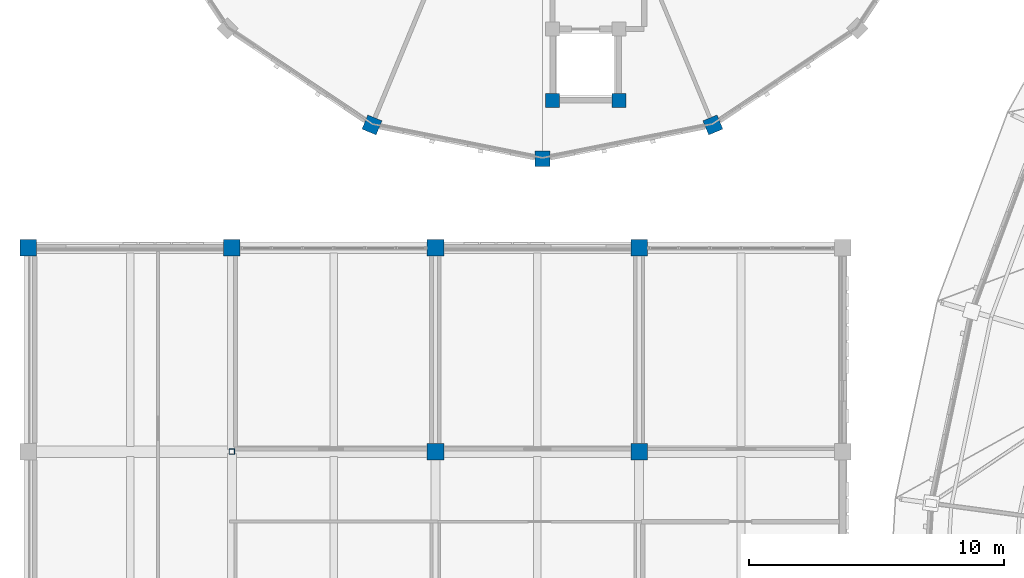
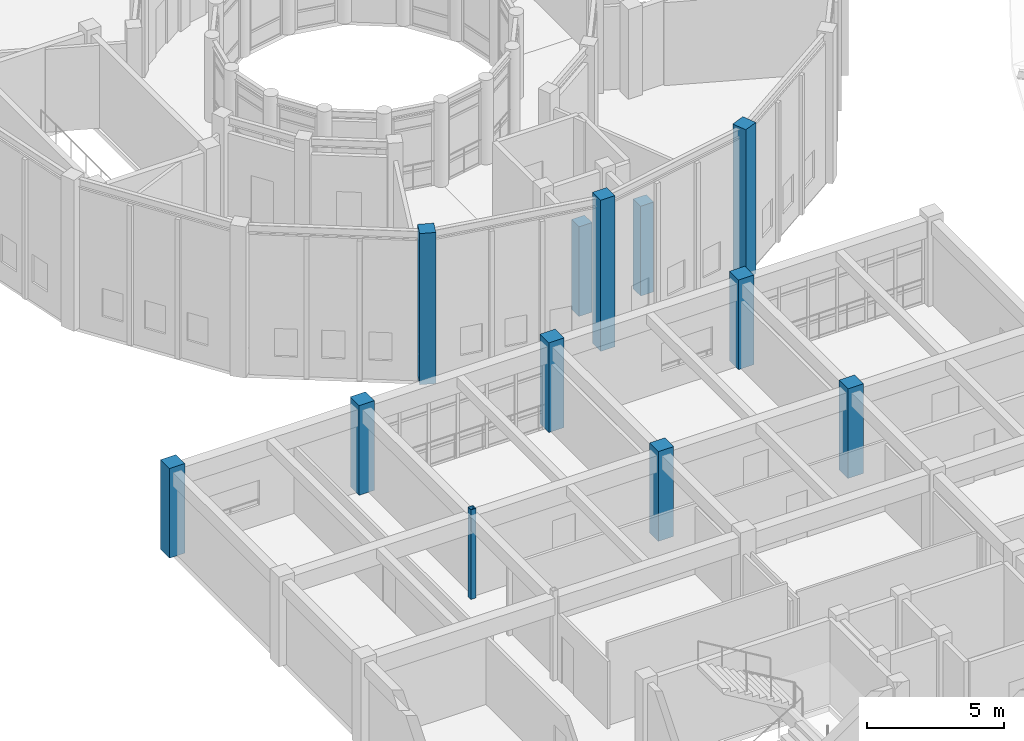
# One storey, part 5 of 149: 12 columns.
"""IFC4 building model written with IfcOpenShell, lengths in metres."""

import ifcopenshell
import ifcopenshell.guid

model = None  # the IFC model being written
_history = None  # IfcOwnerHistory: only IFC2X3 demands one
_inside = {}  # id of a spatial element -> (the spatial element, [elements in it])
_under = {}  # id of a project, library or spatial element -> (it, [spatial elements below it])
_declared = {}  # id of a project -> (the project, [libraries it declares])
_typed = {}  # id of a type object -> (the type object, [elements of that type])
_made_of = {}  # id of a material, layer set ... -> (it, [elements and type objects made of it])


def new_model(schema):
    """Start an empty IFC model of exactly this schema.

    Asked for "IFC4X3", IfcOpenShell would pick the latest addendum, in which some entities
    have other attributes; the version numbers below select the first issue.
    IFC2X3 requires an IfcOwnerHistory on every rooted entity: one is made here for all.
    """
    global model, _history
    if schema == "IFC4X3":
        model = ifcopenshell.file(schema_version=(4, 3, 0, 0))
    else:
        model = ifcopenshell.file(schema=schema)
    _inside.clear()
    _under.clear()
    _declared.clear()
    _typed.clear()
    _made_of.clear()
    _history = None
    if model.schema == "IFC2X3":
        org = make("IfcOrganization", Name="unknown")
        user = make(
            "IfcPersonAndOrganization",
            ThePerson=make("IfcPerson", FamilyName="unknown"),
            TheOrganization=org,
        )
        app = make(
            "IfcApplication",
            ApplicationDeveloper=org,
            Version="unknown",
            ApplicationFullName="unknown",
            ApplicationIdentifier="unknown",
        )
        _history = make(
            "IfcOwnerHistory",
            OwningUser=user,
            OwningApplication=app,
            ChangeAction="ADDED",
            CreationDate=0,
        )
    return model


def make(cls, **values):
    """One entity of the class cls with the attributes given. An attribute that is None is left unset."""
    return model.create_entity(
        cls, **{name: value for name, value in values.items() if value is not None}
    )


def rooted(cls, **values):
    """An entity with a GlobalId (a new one), such as an element, a storey or a relation."""
    return make(cls, GlobalId=ifcopenshell.guid.new(), OwnerHistory=_history, **values)


def si_unit(unit_type, name, prefix=None):
    """IfcSIUnit, for example si_unit("LENGTHUNIT", "METRE", prefix="MILLI")."""
    return make("IfcSIUnit", UnitType=unit_type, Prefix=prefix, Name=name)


def assignment(units):
    """IfcUnitAssignment: the units of a project."""
    return None if units is None else make("IfcUnitAssignment", Units=units)


def point(xyz):
    """IfcCartesianPoint."""
    return None if xyz is None else make("IfcCartesianPoint", Coordinates=xyz)


def direction(xyz):
    """IfcDirection."""
    return None if xyz is None else make("IfcDirection", DirectionRatios=xyz)


def frame(location, z_axis=None, x_axis=None):
    """IfcAxis2Placement3D, a coordinate frame: its origin and axes. An axis left out is left unset."""
    return make(
        "IfcAxis2Placement3D",
        Location=point(location),
        Axis=direction(z_axis),
        RefDirection=direction(x_axis),
    )


def frame_2d(location, x_axis=None):
    """IfcAxis2Placement2D, a coordinate frame in the plane: its origin and x axis."""
    return make(
        "IfcAxis2Placement2D", Location=point(location), RefDirection=direction(x_axis)
    )


def origin():
    """The frame at (0, 0, 0) with its axes left unset."""
    return frame((0.0, 0.0, 0.0))


def origin_2d():
    """The frame at (0, 0) in the plane with its x axis left unset."""
    return frame_2d((0.0, 0.0))


def place(relative_to, where):
    """IfcLocalPlacement: puts the frame where relative to a parent placement (None: the world)."""
    return make(
        "IfcLocalPlacement", PlacementRelTo=relative_to, RelativePlacement=where
    )


def context(
    kind, dimensions, precision=None, world=None, true_north=None, identifier=None
):
    """IfcGeometricRepresentationContext, for example the 3D "Model" context."""
    return make(
        "IfcGeometricRepresentationContext",
        ContextIdentifier=identifier,
        ContextType=kind,
        CoordinateSpaceDimension=dimensions,
        Precision=precision,
        WorldCoordinateSystem=world,
        TrueNorth=true_north,
    )


def subcontext(parent, identifier, kind, view, scale=None):
    """IfcGeometricRepresentationSubContext, for example "Body" below "Model"."""
    return make(
        "IfcGeometricRepresentationSubContext",
        ContextIdentifier=identifier,
        ContextType=kind,
        ParentContext=parent,
        TargetScale=scale,
        TargetView=view,
    )


def project(units=None, contexts=None):
    """IfcProject with its units and contexts."""
    return rooted(
        "IfcProject",
        Name="project",
        RepresentationContexts=contexts,
        UnitsInContext=assignment(units),
    )


def spatial(cls, under=None, at=None, **own):
    """A site, building, storey or space (cls), placed at a placement, below another one or the project."""
    s = rooted(cls, ObjectPlacement=at, **own)
    if under is not None:
        _under.setdefault(under.id(), (under, []))[1].append(s)
    return s


def profile(cls, at=None, kind="AREA", **sizes):
    """A parametric profile (cls). Its sizes go by their IFC names, for example OverallWidth=200.0."""
    return make(cls, ProfileType=kind, Position=at, **sizes)


def rectangle(**sizes):
    """IfcRectangleProfileDef."""
    return profile("IfcRectangleProfileDef", **sizes)


def hollow_rectangle(**sizes):
    """IfcRectangleHollowProfileDef."""
    return profile("IfcRectangleHollowProfileDef", **sizes)


def extrude(swept, where, along, depth):
    """IfcExtrudedAreaSolid: the profile swept, set in the frame where, extruded along a direction by depth."""
    return make(
        "IfcExtrudedAreaSolid",
        SweptArea=swept,
        Position=where,
        ExtrudedDirection=direction(along),
        Depth=depth,
    )


def shape(context_of_items, identifier, shape_type, items):
    """IfcShapeRepresentation: the items that make up one representation, for example the "Body"."""
    return make(
        "IfcShapeRepresentation",
        ContextOfItems=context_of_items,
        RepresentationIdentifier=identifier,
        RepresentationType=shape_type,
        Items=items,
    )


def material(Name=None, Category=None):
    """IfcMaterial."""
    return make("IfcMaterial", Name=Name, Category=Category)


def material_profile(
    of_material, cross_section, Name=None, Category=None, Priority=None
):
    """IfcMaterialProfile: a cross section and its material."""
    return make(
        "IfcMaterialProfile",
        Name=Name,
        Material=of_material,
        Profile=cross_section,
        Priority=Priority,
        Category=Category,
    )


def profile_set(profiles, Name=None, composite=None):
    """IfcMaterialProfileSet."""
    return make(
        "IfcMaterialProfileSet",
        Name=Name,
        MaterialProfiles=profiles,
        CompositeProfile=composite,
    )


def made_of(thing, what):
    """Note that an element or type object is made of a material, layer set ...; save() writes the relation."""
    if what is not None:
        _made_of.setdefault(what.id(), (what, []))[1].append(thing)
    return thing


def type_object(cls, material=None, **own):
    """A type object (cls), such as IfcWallType, which elements share."""
    return made_of(rooted(cls, **own), material)


def element(
    cls,
    number,
    at=None,
    inside=None,
    cuts=None,
    type_object=None,
    material=None,
    context=None,
    identifier="Body",
    shape_type=None,
    held_by="IfcProductDefinitionShape",
    body=None,
    shapes=None,
    **own,
):
    """One element of the class cls, such as IfcWall. Its Tag is "e" and its number.

    at: its placement. inside: the storey or other place that contains it. cuts: it is an
    opening in that element (IfcRelVoidsElement). A single representation is given by context,
    identifier, shape_type and body (its items); several are given by shapes. held_by: the class
    of the entity that holds the representations. save() writes the other relations.
    """
    e = rooted(cls, Tag="e%d" % number, ObjectPlacement=at, **own)
    if body is not None:
        shapes = [shape(context, identifier, shape_type, body)]
    if shapes is not None:
        e.Representation = make(held_by, Representations=shapes)
    if inside is not None:
        _inside.setdefault(inside.id(), (inside, []))[1].append(e)
    if cuts is not None:
        rooted(
            "IfcRelVoidsElement", RelatingBuildingElement=cuts, RelatedOpeningElement=e
        )
    if type_object is not None:
        _typed.setdefault(type_object.id(), (type_object, []))[1].append(e)
    return made_of(e, material)


def aggregate(whole, parts):
    """IfcRelAggregates: a whole, such as a stair, and the parts it consists of."""
    return rooted("IfcRelAggregates", RelatingObject=whole, RelatedObjects=parts)


def save(model, path):
    """Write the relations noted so far, then the file.

    IfcRelAggregates (storeys below a building ...), IfcRelContainedInSpatialStructure (elements
    in a storey), IfcRelDefinesByType, IfcRelAssociatesMaterial and IfcRelDeclares: one each for
    every whole, place, type object, material and project.
    """
    for whole, parts in _under.values():
        aggregate(whole, parts)
    for where, things in _inside.values():
        rooted(
            "IfcRelContainedInSpatialStructure",
            RelatedElements=things,
            RelatingStructure=where,
        )
    for kind, things in _typed.values():
        rooted("IfcRelDefinesByType", RelatedObjects=things, RelatingType=kind)
    for what, things in _made_of.values():
        rooted("IfcRelAssociatesMaterial", RelatedObjects=things, RelatingMaterial=what)
    for by, libraries in _declared.values():
        rooted("IfcRelDeclares", RelatingContext=by, RelatedDefinitions=libraries)
    model.write(path)


model = new_model("IFC4")

# Units and contexts
model_context = context("Model", 3, precision=1e-05, world=origin(), true_north=direction((0.0, 1.0)))
body_context = subcontext(model_context, "Body", "Model", "MODEL_VIEW")
ifc_project = project(units=[si_unit("LENGTHUNIT", "METRE"), si_unit("AREAUNIT", "SQUARE_METRE"), si_unit("VOLUMEUNIT", "CUBIC_METRE"), si_unit("PLANEANGLEUNIT", "RADIAN"), si_unit("MASSUNIT", "GRAM", prefix="KILO")], contexts=[model_context])

# Site, building, storey
site_placement = place(None, origin())
site = spatial("IfcSite", under=ifc_project, at=site_placement, CompositionType="ELEMENT")
building_placement = place(site_placement, origin())
building = spatial("IfcBuilding", under=site, at=building_placement, Name="Celadon Cloister-Ring School", CompositionType="ELEMENT")
storey_placement = place(building_placement, frame((0.0, 0.0, 12.5)))
storey = spatial("IfcBuildingStorey", under=building, at=storey_placement, Name="L03", CompositionType="ELEMENT", Elevation=12.5)

# Columns
ifc_material_1 = material(Name="Concrete C40/50", Category="concrete")
ifc_material_profile_1 = material_profile(ifc_material_1, rectangle(XDim=0.64990234375, YDim=0.64990234375, at=origin_2d()), Name="RC650X650")
ifc_profile_set_1 = profile_set([ifc_material_profile_1], Name="Concrete C40/50")
column_type_1 = type_object("IfcColumnType", Name="CT-03", PredefinedType="COLUMN", material=ifc_profile_set_1)
for number, where, z_axis, x_axis, name in (
    (1, (16.0, 68.0, 0.0), (0.0, 0.0, 1.0), (1.0, 0.0, 0.0), "Column 1107"),
    (2, (24.0, 68.0, 0.0), (0.0, 0.0, 1.0), (1.0, 0.0, 0.0), "Column 1141"),
):
    element("IfcColumn", number, at=place(storey_placement, frame(where, z_axis=z_axis, x_axis=x_axis)), inside=storey, type_object=column_type_1, Name=name, PredefinedType="COLUMN", context=body_context, shape_type="SweptSolid", body=[
        extrude(rectangle(XDim=0.64990234375, YDim=0.64990234375, at=origin_2d()), origin(), (0.0, 0.0, 1.0), 4.0),
    ])
ifc_material_2 = material(Name="Concrete C40/50", Category="concrete")
ifc_material_profile_2 = material_profile(ifc_material_2, rectangle(XDim=0.550048828125, YDim=0.550048828125, at=origin_2d()), Name="RC550X550")
ifc_profile_set_2 = profile_set([ifc_material_profile_2], Name="Concrete C40/50")
column_type_2 = type_object("IfcColumnType", Name="CT-05", PredefinedType="COLUMN", material=ifc_profile_set_2)
for number, where, z_axis, x_axis, name in (
    (3, (20.60009765625, 81.800048828125, 0.0), (0.0, 0.0, 1.0), (1.0, 0.0, 0.0), "Column 0279"),
    (4, (23.199951171875, 81.800048828125, 0.0), (0.0, 0.0, 1.0), (1.0, 0.0, 0.0), "Column 0283"),
):
    element("IfcColumn", number, at=place(storey_placement, frame(where, z_axis=z_axis, x_axis=x_axis)), inside=storey, type_object=column_type_2, Name=name, PredefinedType="COLUMN", context=body_context, shape_type="SweptSolid", body=[
        extrude(rectangle(XDim=0.550048828125, YDim=0.550048828125, at=origin_2d()), origin(), (0.0, 0.0, 1.0), 4.0),
    ])
ifc_material_3 = material(Name="Structural steel S355JR", Category="steel")
ifc_material_profile_3 = material_profile(ifc_material_3, hollow_rectangle(XDim=0.219970703125, YDim=0.219970703125, WallThickness=0.010009765625, at=origin_2d()), Name="HSS220X220X10")
ifc_profile_set_3 = profile_set([ifc_material_profile_3], Name="Structural steel S355JR")
column_type_3 = type_object("IfcColumnType", Name="CT-09", PredefinedType="COLUMN", material=ifc_profile_set_3)
column_placement = place(storey_placement, frame((8.0, 68.0, 0.0), z_axis=(0.0, 0.0, 1.0), x_axis=(1.0, 0.0, 0.0)))
element("IfcColumn", 5, at=column_placement, inside=storey, type_object=column_type_3, Name="Column 1192", PredefinedType="COLUMN", context=body_context, shape_type="SweptSolid", body=[
    extrude(hollow_rectangle(XDim=0.219970703125, YDim=0.219970703125, WallThickness=0.010009765625, at=origin_2d()), origin(), (0.0, 0.0, 1.0), 4.0),
])
ifc_material_4 = material(Name="Concrete C40/50", Category="concrete")
ifc_material_profile_4 = material_profile(ifc_material_4, rectangle(XDim=0.64990234375, YDim=0.64990234375, at=origin_2d()), Name="RC650X650")
ifc_profile_set_4 = profile_set([ifc_material_profile_4], Name="Concrete C40/50")
column_type_4 = type_object("IfcColumnType", Name="CT-22", PredefinedType="COLUMN", material=ifc_profile_set_4)
for number, where, z_axis, x_axis, name in (
    (6, (0.0, 76.0, 0.0), (0.0, 0.0, 1.0), (1.0, 0.0, 0.0), "Column 1091"),
    (7, (16.0, 76.0, 0.0), (0.0, 0.0, 1.0), (1.0, 0.0, 0.0), "Column 1113"),
    (8, (24.0, 76.0, 0.0), (0.0, 0.0, 1.0), (1.0, 0.0, 0.0), "Column 1147"),
    (9, (8.0, 76.0, 0.0), (0.0, 0.0, 1.0), (1.0, 0.0, 0.0), "Column 1198"),
):
    element("IfcColumn", number, at=place(storey_placement, frame(where, z_axis=z_axis, x_axis=x_axis)), inside=storey, type_object=column_type_4, Name=name, PredefinedType="COLUMN", context=body_context, shape_type="SweptSolid", body=[
        extrude(rectangle(XDim=0.64990234375, YDim=0.64990234375, at=origin_2d()), origin(), (0.0, 0.0, 1.0), 4.0),
    ])
ifc_material_5 = material(Name="Concrete C40/50", Category="concrete")
ifc_material_profile_5 = material_profile(ifc_material_5, rectangle(XDim=0.60009765625, YDim=0.60009765625, at=origin_2d()), Name="RC600X600")
ifc_profile_set_5 = profile_set([ifc_material_profile_5], Name="Concrete C40/50")
column_type_5 = type_object("IfcColumnType", Name="CT-23", PredefinedType="COLUMN", material=ifc_profile_set_5)
for number, where, z_axis, x_axis, name in (
    (10, (13.5029296875, 80.83203125, 0.0), (0.0, 0.0, 1.0), (-0.382683432365, -0.923879532511, 0.0), "Column 0890"),
    (11, (20.199951171875, 79.5, 0.0), (0.0, 0.0, 1.0), (0.0, -1.0, 0.0), "Column 0894"),
    (12, (26.89697265625, 80.83203125, 0.0), (0.0, 0.0, 1.0), (0.382683432365, -0.923879532511, 0.0), "Column 0898"),
):
    element("IfcColumn", number, at=place(storey_placement, frame(where, z_axis=z_axis, x_axis=x_axis)), inside=storey, type_object=column_type_5, Name=name, PredefinedType="COLUMN", context=body_context, shape_type="SweptSolid", body=[
        extrude(rectangle(XDim=0.60009765625, YDim=0.60009765625, at=origin_2d()), origin(), (0.0, 0.0, 1.0), 6.739990234375),
    ])

save(model, "model.ifc")
